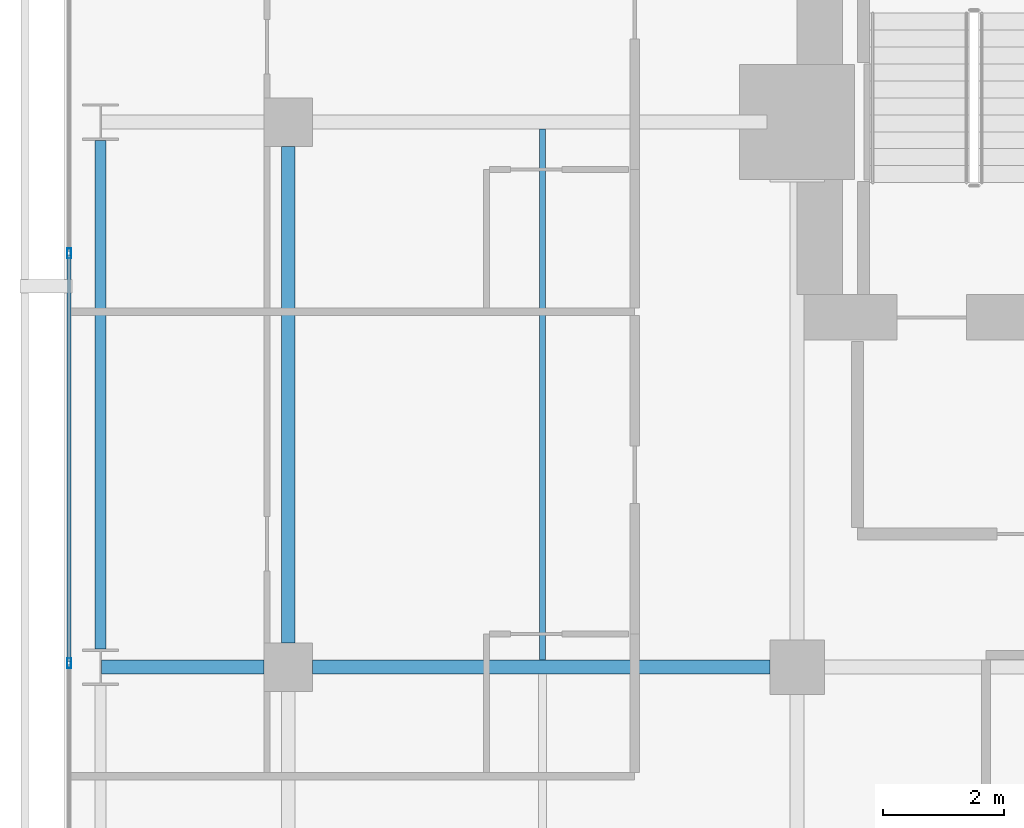
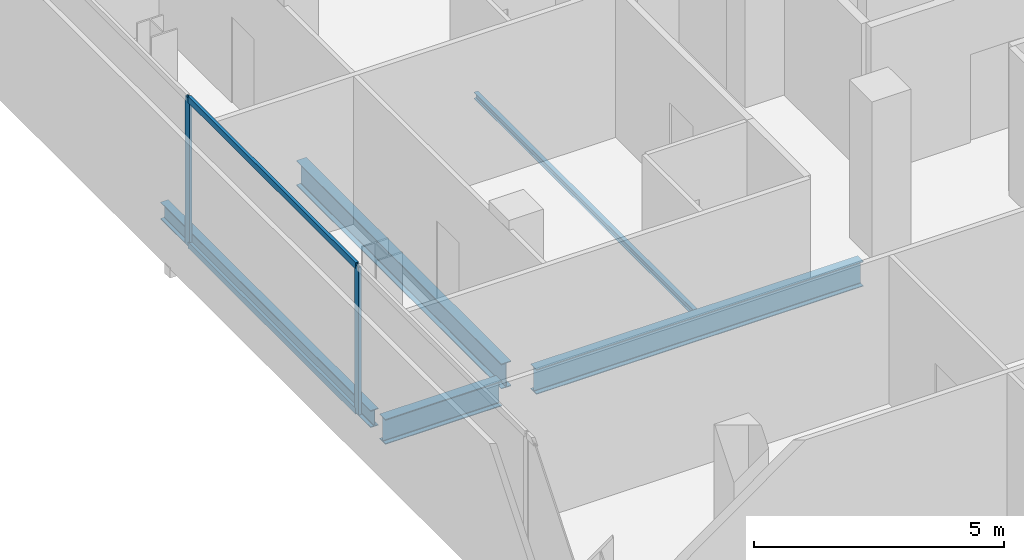
# One storey, part 18 of 34: 5 beams, 4 members, 1 element without a shape of its own.
"""IFC4 building model written with IfcOpenShell, lengths in metres."""

from ifc_helpers import new_model, si_unit, direction, frame, origin, origin_2d, place, context, subcontext, project, spatial, hollow_rectangle, i_section, extrude, material, layer, layer_set, material_profile, profile_set, type_object, element, aggregate, save


model = new_model("IFC4")

# Units and contexts
model_context = context("Model", 3, precision=1e-05, world=origin(), true_north=direction((0.0, 1.0)))
body_context = subcontext(model_context, "Body", "Model", "MODEL_VIEW")
ifc_project = project(units=[si_unit("LENGTHUNIT", "METRE"), si_unit("AREAUNIT", "SQUARE_METRE"), si_unit("VOLUMEUNIT", "CUBIC_METRE"), si_unit("PLANEANGLEUNIT", "RADIAN"), si_unit("MASSUNIT", "GRAM", prefix="KILO")], contexts=[model_context])

# Site, building, storey
site_placement = place(None, origin())
site = spatial("IfcSite", under=ifc_project, at=site_placement, CompositionType="ELEMENT")
building_placement = place(site_placement, origin())
building = spatial("IfcBuilding", under=site, at=building_placement, Name="Maruvema Waterfront Hotel and Observation Tower", CompositionType="ELEMENT")
storey_placement = place(building_placement, frame((0.0, 0.0, 146.64990234375)))
storey = spatial("IfcBuildingStorey", under=building, at=storey_placement, Name="L35", CompositionType="ELEMENT", Elevation=146.64990234375)

# Curtain wall, members
ifc_material_1 = material(Name="Anodised bronze aluminium and solar-control low-E IGU", Category="aluminium")
ifc_layer = layer(ifc_material_1, 0.159912109375, Name="Zone 2 Amber Inner Thermal Curtain Wall System CW-03")
ifc_layer_set = layer_set([ifc_layer], Name="Anodised bronze aluminium and solar-control low-E IGU")
curtain_wall_type = type_object("IfcCurtainWallType", Name="Zone 2 Amber Inner Thermal Curtain Wall System CW-03", PredefinedType="USERDEFINED", material=ifc_layer_set)
curtain_wall_placement = place(storey_placement, origin())
curtain_wall = element("IfcCurtainWall", 1, at=curtain_wall_placement, inside=storey, type_object=curtain_wall_type, Name="L35 Curtain Wall CW-L35-W", ObjectType="UNITISED CURTAIN WALL", PredefinedType="USERDEFINED")
ifc_material_2 = material(Name="Anodised architectural bronze aluminium", Category="aluminium")
ifc_material_profile_1 = material_profile(ifc_material_2, hollow_rectangle(XDim=0.070068359375, YDim=0.14990234375, WallThickness=0.00390625, at=origin_2d()), Name="ALU-T70x150")
ifc_profile_set_1 = profile_set([ifc_material_profile_1], Name="Anodised architectural bronze aluminium")
member_type_1 = type_object("IfcMemberType", Name="Curtain Wall Horizontal Transom ALU-T70x150", PredefinedType="USERDEFINED", material=ifc_profile_set_1)
member_1_placement = place(storey_placement, frame((13.179931640625, 42.80322265625, 0.030029296875), z_axis=(0.0, -1.0, 0.0), x_axis=(1.0, 0.0, 0.0)))
member_1 = element("IfcMember", 2, at=member_1_placement, type_object=member_type_1, Name="CW-03 transom 2.1", ObjectType="TRANSOM", PredefinedType="USERDEFINED", context=body_context, shape_type="SweptSolid", body=[
    extrude(hollow_rectangle(XDim=0.070068359375, YDim=0.14990234375, WallThickness=0.00390625, at=origin_2d()), origin(), (0.0, 0.0, 1.0), 6.70654296875),
])
member_2_placement = place(storey_placement, frame((13.179931640625, 42.80322265625, 3.580078125), z_axis=(0.0, -1.0, 0.0), x_axis=(1.0, 0.0, 0.0)))
member_2 = element("IfcMember", 3, at=member_2_placement, type_object=member_type_1, Name="CW-03 transom 2.2", ObjectType="TRANSOM", PredefinedType="USERDEFINED", context=body_context, shape_type="SweptSolid", body=[
    extrude(hollow_rectangle(XDim=0.070068359375, YDim=0.14990234375, WallThickness=0.00390625, at=origin_2d()), origin(), (0.0, 0.0, 1.0), 6.70654296875),
])
ifc_material_3 = material(Name="Anodised architectural bronze aluminium", Category="aluminium")
ifc_material_profile_2 = material_profile(ifc_material_3, hollow_rectangle(XDim=0.06494140625, YDim=0.1650390625, WallThickness=0.00390625, at=origin_2d()), Name="ALU-M65x165")
ifc_profile_set_2 = profile_set([ifc_material_profile_2], Name="Anodised architectural bronze aluminium")
member_type_2 = type_object("IfcMemberType", Name="Curtain Wall Primary Mullion ALU-M65x165", PredefinedType="MULLION", material=ifc_profile_set_2)
member_3_placement = place(storey_placement, frame((13.179931640625, 42.833251953125, 0.0), z_axis=(0.0, 0.0, 1.0), x_axis=(1.0, 0.0, 0.0)))
member_3 = element("IfcMember", 4, at=member_3_placement, type_object=member_type_2, Name="CW-03 mullion 2", PredefinedType="MULLION", context=body_context, shape_type="SweptSolid", body=[
    extrude(hollow_rectangle(XDim=0.06494140625, YDim=0.1650390625, WallThickness=0.00390625, at=origin_2d()), origin(), (0.0, 0.0, 1.0), 3.610107421875),
])
member_4_placement = place(storey_placement, frame((13.179931640625, 36.066650390625, 0.0), z_axis=(0.0, 0.0, 1.0), x_axis=(1.0, 0.0, 0.0)))
member_4 = element("IfcMember", 5, at=member_4_placement, type_object=member_type_2, Name="CW-03 mullion 3", PredefinedType="MULLION", context=body_context, shape_type="SweptSolid", body=[
    extrude(hollow_rectangle(XDim=0.06494140625, YDim=0.1650390625, WallThickness=0.00390625, at=origin_2d()), origin(), (0.0, 0.0, 1.0), 3.610107421875),
])
aggregate(curtain_wall, [member_3, member_4, member_1, member_2])

# Beams
ifc_material_4 = material(Name="Steel ASTM A572 Grade 50", Category="steel")
ifc_material_profile_3 = material_profile(ifc_material_4, i_section(OverallWidth=0.180908203125, OverallDepth=0.4169921875, WebThickness=0.010986328125, FlangeThickness=0.018310546875, FilletRadius=0.014892578125, at=origin_2d()), Name="W410x85.0")
ifc_profile_set_3 = profile_set([ifc_material_profile_3], Name="Steel ASTM A572 Grade 50")
beam_type_1 = type_object("IfcBeamType", Name="Perimeter Spandrel Beam W410x85.0", PredefinedType="SPANDREL", material=ifc_profile_set_3)
beam_1_placement = place(storey_placement, frame((13.699951171875, 36.300048828125, -0.448486328125), z_axis=(0.0, 1.0, 0.0), x_axis=(-1.0, 0.0, 0.0)))
element("IfcBeam", 6, at=beam_1_placement, inside=storey, type_object=beam_type_1, Name="L35 Floor Girder NS-04", PredefinedType="SPANDREL", context=body_context, shape_type="SweptSolid", body=[
    extrude(i_section(OverallWidth=0.180908203125, OverallDepth=0.4169921875, WebThickness=0.010986328125, FlangeThickness=0.018310546875, FilletRadius=0.014892578125, at=origin_2d()), origin(), (0.0, 0.0, 1.0), 8.39990234375),
])
ifc_material_5 = material(Name="Steel ASTM A572 Grade 50", Category="steel")
ifc_material_profile_4 = material_profile(ifc_material_5, i_section(OverallWidth=0.22900390625, OverallDepth=0.612060546875, WebThickness=0.011962890625, FlangeThickness=0.01953125, FilletRadius=0.01806640625, at=origin_2d()), Name="W610x125.0")
ifc_profile_set_4 = profile_set([ifc_material_profile_4], Name="Steel ASTM A572 Grade 50")
beam_type_2 = type_object("IfcBeamType", Name="Primary Floor Girder W610x125.0", PredefinedType="BEAM", material=ifc_profile_set_4)
beam_2_placement = place(storey_placement, frame((13.71240234375, 36.0, -0.5458984375), z_axis=(1.0, 0.0, 0.0), x_axis=(0.0, 1.0, 0.0)))
element("IfcBeam", 7, at=beam_2_placement, inside=storey, type_object=beam_type_2, Name="L35 Floor Girder EW-23", PredefinedType="BEAM", context=body_context, shape_type="SweptSolid", body=[
    extrude(i_section(OverallWidth=0.22900390625, OverallDepth=0.612060546875, WebThickness=0.011962890625, FlangeThickness=0.01953125, FilletRadius=0.01806640625, at=origin_2d()), origin(), (0.0, 0.0, 1.0), 2.6875),
])
beam_3_placement = place(storey_placement, frame((17.199951171875, 36.0, -0.5458984375), z_axis=(1.0, 0.0, 0.0), x_axis=(0.0, 1.0, 0.0)))
element("IfcBeam", 8, at=beam_3_placement, inside=storey, type_object=beam_type_2, Name="L35 Floor Girder EW-24", PredefinedType="BEAM", context=body_context, shape_type="SweptSolid", body=[
    extrude(i_section(OverallWidth=0.22900390625, OverallDepth=0.612060546875, WebThickness=0.011962890625, FlangeThickness=0.01953125, FilletRadius=0.01806640625, at=origin_2d()), origin(), (0.0, 0.0, 1.0), 7.550048828125),
])
beam_4_placement = place(storey_placement, frame((16.800048828125, 36.39990234375, -0.5458984375), z_axis=(0.0, 1.0, 0.0), x_axis=(-1.0, 0.0, 0.0)))
element("IfcBeam", 9, at=beam_4_placement, inside=storey, type_object=beam_type_2, Name="L35 Floor Girder NS-08", PredefinedType="BEAM", context=body_context, shape_type="SweptSolid", body=[
    extrude(i_section(OverallWidth=0.22900390625, OverallDepth=0.612060546875, WebThickness=0.011962890625, FlangeThickness=0.01953125, FilletRadius=0.01806640625, at=origin_2d()), origin(), (0.0, 0.0, 1.0), 8.2001953125),
])
ifc_material_6 = material(Name="Steel ASTM A572 Grade 50", Category="steel")
ifc_material_profile_5 = material_profile(ifc_material_6, i_section(OverallWidth=0.10009765625, OverallDepth=0.153076171875, WebThickness=0.005859375, FlangeThickness=0.007080078125, FilletRadius=0.008056640625, at=origin_2d()), Name="W150x18.0")
ifc_profile_set_5 = profile_set([ifc_material_profile_5], Name="Steel ASTM A572 Grade 50")
beam_type_3 = type_object("IfcBeamType", Name="Secondary Floor Joist W150x18.0", PredefinedType="JOIST", material=ifc_profile_set_5)
beam_5_placement = place(storey_placement, frame((21.0, 36.114501953125, -0.31640625), z_axis=(0.0, 1.0, 0.0), x_axis=(-1.0, 0.0, 0.0)))
element("IfcBeam", 10, at=beam_5_placement, inside=storey, type_object=beam_type_3, Name="L35 Secondary Floor Joist JS-04", PredefinedType="JOIST", context=body_context, shape_type="SweptSolid", body=[
    extrude(i_section(OverallWidth=0.10009765625, OverallDepth=0.153076171875, WebThickness=0.005859375, FlangeThickness=0.007080078125, FilletRadius=0.008056640625, at=origin_2d()), origin(), (0.0, 0.0, 1.0), 8.77099609375),
])

save(model, "model.ifc")
